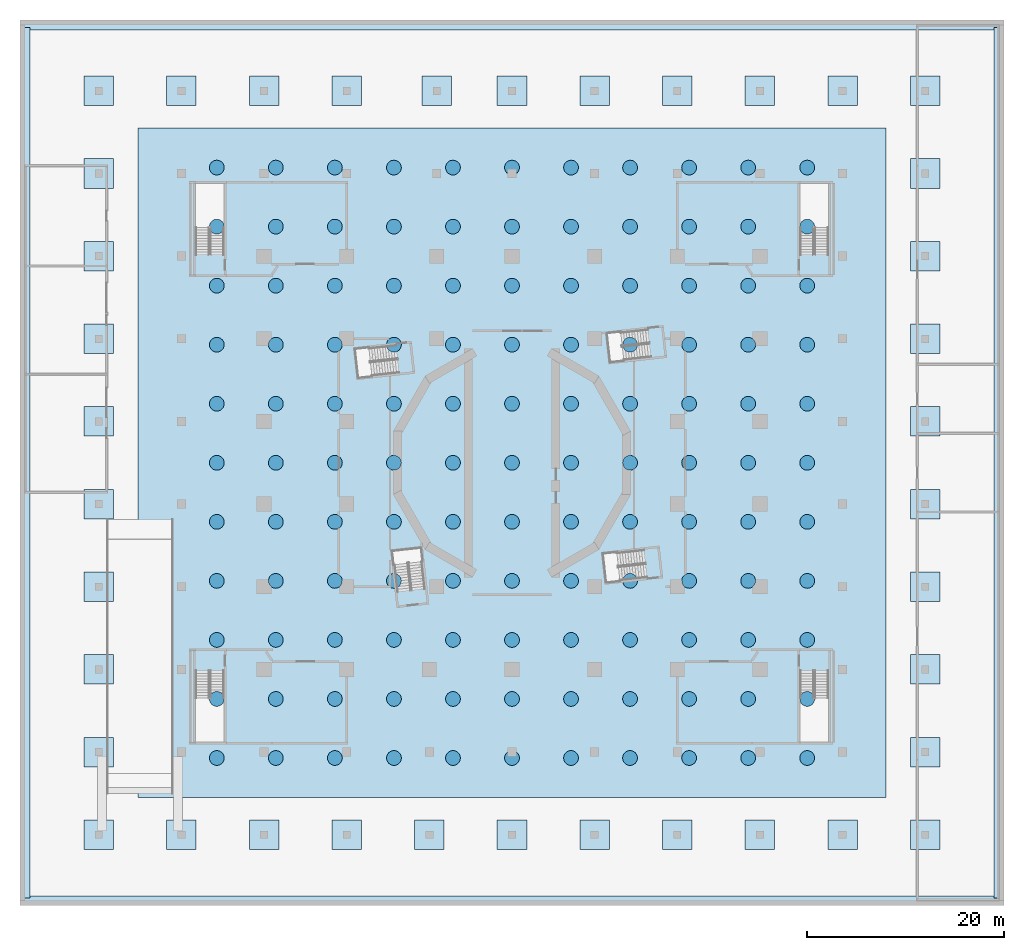
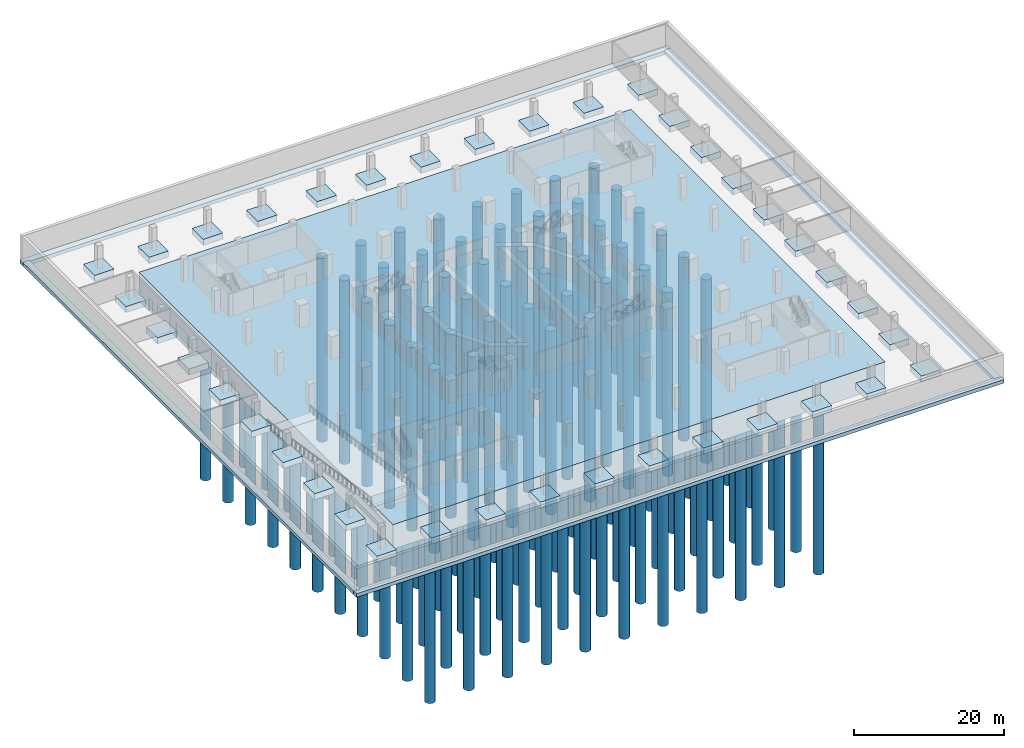
# One storey, part 1 of 20: 121 piles, 43 footings.
"""IFC4 building model written with IfcOpenShell, lengths in metres."""

from ifc_helpers import new_model, si_unit, direction, frame, origin, origin_2d, place, context, subcontext, project, spatial, polyline, circle, outline, extrude, material, material_profile, profile_set, type_object, element, save


model = new_model("IFC4")

# Units and contexts
model_context = context("Model", 3, precision=1e-05, world=origin(), true_north=direction((0.0, 1.0)))
body_context = subcontext(model_context, "Body", "Model", "MODEL_VIEW")
ifc_project = project(units=[si_unit("LENGTHUNIT", "METRE"), si_unit("AREAUNIT", "SQUARE_METRE"), si_unit("VOLUMEUNIT", "CUBIC_METRE"), si_unit("PLANEANGLEUNIT", "RADIAN"), si_unit("MASSUNIT", "GRAM", prefix="KILO")], contexts=[model_context])

# Site, building, storey
site_placement = place(None, origin())
site = spatial("IfcSite", under=ifc_project, at=site_placement, CompositionType="ELEMENT")
building_placement = place(site_placement, origin())
building = spatial("IfcBuilding", under=site, at=building_placement, Name="Cantera Rosa Tower", CompositionType="ELEMENT")
storey_placement = place(building_placement, frame((0.0, 0.0, -17.0)))
storey = spatial("IfcBuildingStorey", under=building, at=storey_placement, Name="B4", CompositionType="ELEMENT", Elevation=-17.0)

# Piles
ifc_material_1 = material(Name="Concrete C40/50", Category="concrete")
ifc_material_profile = material_profile(ifc_material_1, circle(Radius=0.75, at=origin_2d()), Name="Bored pile 1500")
ifc_profile_set = profile_set([ifc_material_profile], Name="Concrete C40/50")
pile_type = type_object("IfcPileType", Name="Bored pile 1500", PredefinedType="BORED", material=ifc_profile_set)
for number, where, z_axis, x_axis, name in (
    (1, (-30.0, -30.0, -3.925048828125), (0.0, 0.0, -1.0), (1.0, 0.0, 0.0), "Pile P-001"),
    (2, (-30.0, -24.0, -3.925048828125), (0.0, 0.0, -1.0), (1.0, 0.0, 0.0), "Pile P-002"),
    (3, (-30.0, -18.0, -3.925048828125), (0.0, 0.0, -1.0), (1.0, 0.0, 0.0), "Pile P-003"),
    (4, (-30.0, -12.0, -3.925048828125), (0.0, 0.0, -1.0), (1.0, 0.0, 0.0), "Pile P-004"),
    (5, (-30.0, -6.0, -3.925048828125), (0.0, 0.0, -1.0), (1.0, 0.0, 0.0), "Pile P-005"),
    (6, (-30.0, 0.0, -3.925048828125), (0.0, 0.0, -1.0), (1.0, 0.0, 0.0), "Pile P-006"),
    (7, (-30.0, 6.0, -3.925048828125), (0.0, 0.0, -1.0), (1.0, 0.0, 0.0), "Pile P-007"),
    (8, (-30.0, 12.0, -3.925048828125), (0.0, 0.0, -1.0), (1.0, 0.0, 0.0), "Pile P-008"),
    (9, (-30.0, 18.0, -3.925048828125), (0.0, 0.0, -1.0), (1.0, 0.0, 0.0), "Pile P-009"),
    (10, (-30.0, 24.0, -3.925048828125), (0.0, 0.0, -1.0), (1.0, 0.0, 0.0), "Pile P-010"),
    (11, (-30.0, 30.0, -3.925048828125), (0.0, 0.0, -1.0), (1.0, 0.0, 0.0), "Pile P-011"),
    (12, (-24.0, -30.0, -3.925048828125), (0.0, 0.0, -1.0), (1.0, 0.0, 0.0), "Pile P-012"),
    (13, (-24.0, -24.0, -3.925048828125), (0.0, 0.0, -1.0), (1.0, 0.0, 0.0), "Pile P-013"),
    (14, (-24.0, -18.0, -3.925048828125), (0.0, 0.0, -1.0), (1.0, 0.0, 0.0), "Pile P-014"),
    (15, (-24.0, -12.0, -3.925048828125), (0.0, 0.0, -1.0), (1.0, 0.0, 0.0), "Pile P-015"),
    (16, (-24.0, -6.0, -3.925048828125), (0.0, 0.0, -1.0), (1.0, 0.0, 0.0), "Pile P-016"),
    (17, (-24.0, 0.0, -3.925048828125), (0.0, 0.0, -1.0), (1.0, 0.0, 0.0), "Pile P-017"),
    (18, (-24.0, 6.0, -3.925048828125), (0.0, 0.0, -1.0), (1.0, 0.0, 0.0), "Pile P-018"),
    (19, (-24.0, 12.0, -3.925048828125), (0.0, 0.0, -1.0), (1.0, 0.0, 0.0), "Pile P-019"),
    (20, (-24.0, 18.0, -3.925048828125), (0.0, 0.0, -1.0), (1.0, 0.0, 0.0), "Pile P-020"),
    (21, (-24.0, 24.0, -3.925048828125), (0.0, 0.0, -1.0), (1.0, 0.0, 0.0), "Pile P-021"),
    (22, (-24.0, 30.0, -3.925048828125), (0.0, 0.0, -1.0), (1.0, 0.0, 0.0), "Pile P-022"),
    (23, (-18.0, -30.0, -3.925048828125), (0.0, 0.0, -1.0), (1.0, 0.0, 0.0), "Pile P-023"),
    (24, (-18.0, -24.0, -3.925048828125), (0.0, 0.0, -1.0), (1.0, 0.0, 0.0), "Pile P-024"),
    (25, (-18.0, -18.0, -3.925048828125), (0.0, 0.0, -1.0), (1.0, 0.0, 0.0), "Pile P-025"),
    (26, (-18.0, -12.0, -3.925048828125), (0.0, 0.0, -1.0), (1.0, 0.0, 0.0), "Pile P-026"),
    (27, (-18.0, -6.0, -3.925048828125), (0.0, 0.0, -1.0), (1.0, 0.0, 0.0), "Pile P-027"),
    (28, (-18.0, 0.0, -3.925048828125), (0.0, 0.0, -1.0), (1.0, 0.0, 0.0), "Pile P-028"),
    (29, (-18.0, 6.0, -3.925048828125), (0.0, 0.0, -1.0), (1.0, 0.0, 0.0), "Pile P-029"),
    (30, (-18.0, 12.0, -3.925048828125), (0.0, 0.0, -1.0), (1.0, 0.0, 0.0), "Pile P-030"),
    (31, (-18.0, 18.0, -3.925048828125), (0.0, 0.0, -1.0), (1.0, 0.0, 0.0), "Pile P-031"),
    (32, (-18.0, 24.0, -3.925048828125), (0.0, 0.0, -1.0), (1.0, 0.0, 0.0), "Pile P-032"),
    (33, (-18.0, 30.0, -3.925048828125), (0.0, 0.0, -1.0), (1.0, 0.0, 0.0), "Pile P-033"),
    (34, (-12.0, -30.0, -3.925048828125), (0.0, 0.0, -1.0), (1.0, 0.0, 0.0), "Pile P-034"),
    (35, (-12.0, -24.0, -3.925048828125), (0.0, 0.0, -1.0), (1.0, 0.0, 0.0), "Pile P-035"),
    (36, (-12.0, -18.0, -3.925048828125), (0.0, 0.0, -1.0), (1.0, 0.0, 0.0), "Pile P-036"),
    (37, (-12.0, -12.0, -3.925048828125), (0.0, 0.0, -1.0), (1.0, 0.0, 0.0), "Pile P-037"),
    (38, (-12.0, -6.0, -3.925048828125), (0.0, 0.0, -1.0), (1.0, 0.0, 0.0), "Pile P-038"),
    (39, (-12.0, 0.0, -3.925048828125), (0.0, 0.0, -1.0), (1.0, 0.0, 0.0), "Pile P-039"),
    (40, (-12.0, 6.0, -3.925048828125), (0.0, 0.0, -1.0), (1.0, 0.0, 0.0), "Pile P-040"),
    (41, (-12.0, 12.0, -3.925048828125), (0.0, 0.0, -1.0), (1.0, 0.0, 0.0), "Pile P-041"),
    (42, (-12.0, 18.0, -3.925048828125), (0.0, 0.0, -1.0), (1.0, 0.0, 0.0), "Pile P-042"),
    (43, (-12.0, 24.0, -3.925048828125), (0.0, 0.0, -1.0), (1.0, 0.0, 0.0), "Pile P-043"),
    (44, (-12.0, 30.0, -3.925048828125), (0.0, 0.0, -1.0), (1.0, 0.0, 0.0), "Pile P-044"),
    (45, (-6.0, -30.0, -3.925048828125), (0.0, 0.0, -1.0), (1.0, 0.0, 0.0), "Pile P-045"),
    (46, (-6.0, -24.0, -3.925048828125), (0.0, 0.0, -1.0), (1.0, 0.0, 0.0), "Pile P-046"),
    (47, (-6.0, -18.0, -3.925048828125), (0.0, 0.0, -1.0), (1.0, 0.0, 0.0), "Pile P-047"),
    (48, (-6.0, -12.0, -3.925048828125), (0.0, 0.0, -1.0), (1.0, 0.0, 0.0), "Pile P-048"),
    (49, (-6.0, -6.0, -3.925048828125), (0.0, 0.0, -1.0), (1.0, 0.0, 0.0), "Pile P-049"),
    (50, (-6.0, 0.0, -3.925048828125), (0.0, 0.0, -1.0), (1.0, 0.0, 0.0), "Pile P-050"),
    (51, (-6.0, 6.0, -3.925048828125), (0.0, 0.0, -1.0), (1.0, 0.0, 0.0), "Pile P-051"),
    (52, (-6.0, 12.0, -3.925048828125), (0.0, 0.0, -1.0), (1.0, 0.0, 0.0), "Pile P-052"),
    (53, (-6.0, 18.0, -3.925048828125), (0.0, 0.0, -1.0), (1.0, 0.0, 0.0), "Pile P-053"),
    (54, (-6.0, 24.0, -3.925048828125), (0.0, 0.0, -1.0), (1.0, 0.0, 0.0), "Pile P-054"),
    (55, (-6.0, 30.0, -3.925048828125), (0.0, 0.0, -1.0), (1.0, 0.0, 0.0), "Pile P-055"),
    (56, (0.0, -30.0, -3.925048828125), (0.0, 0.0, -1.0), (1.0, 0.0, 0.0), "Pile P-056"),
    (57, (0.0, -24.0, -3.925048828125), (0.0, 0.0, -1.0), (1.0, 0.0, 0.0), "Pile P-057"),
    (58, (0.0, -18.0, -3.925048828125), (0.0, 0.0, -1.0), (1.0, 0.0, 0.0), "Pile P-058"),
    (59, (0.0, -12.0, -3.925048828125), (0.0, 0.0, -1.0), (1.0, 0.0, 0.0), "Pile P-059"),
    (60, (0.0, -6.0, -3.925048828125), (0.0, 0.0, -1.0), (1.0, 0.0, 0.0), "Pile P-060"),
    (61, (0.0, 0.0, -3.925048828125), (0.0, 0.0, -1.0), (1.0, 0.0, 0.0), "Pile P-061"),
    (62, (0.0, 6.0, -3.925048828125), (0.0, 0.0, -1.0), (1.0, 0.0, 0.0), "Pile P-062"),
    (63, (0.0, 12.0, -3.925048828125), (0.0, 0.0, -1.0), (1.0, 0.0, 0.0), "Pile P-063"),
    (64, (0.0, 18.0, -3.925048828125), (0.0, 0.0, -1.0), (1.0, 0.0, 0.0), "Pile P-064"),
    (65, (0.0, 24.0, -3.925048828125), (0.0, 0.0, -1.0), (1.0, 0.0, 0.0), "Pile P-065"),
    (66, (0.0, 30.0, -3.925048828125), (0.0, 0.0, -1.0), (1.0, 0.0, 0.0), "Pile P-066"),
    (67, (6.0, -30.0, -3.925048828125), (0.0, 0.0, -1.0), (1.0, 0.0, 0.0), "Pile P-067"),
    (68, (6.0, -24.0, -3.925048828125), (0.0, 0.0, -1.0), (1.0, 0.0, 0.0), "Pile P-068"),
    (69, (6.0, -18.0, -3.925048828125), (0.0, 0.0, -1.0), (1.0, 0.0, 0.0), "Pile P-069"),
    (70, (6.0, -12.0, -3.925048828125), (0.0, 0.0, -1.0), (1.0, 0.0, 0.0), "Pile P-070"),
    (71, (6.0, -6.0, -3.925048828125), (0.0, 0.0, -1.0), (1.0, 0.0, 0.0), "Pile P-071"),
    (72, (6.0, 0.0, -3.925048828125), (0.0, 0.0, -1.0), (1.0, 0.0, 0.0), "Pile P-072"),
    (73, (6.0, 6.0, -3.925048828125), (0.0, 0.0, -1.0), (1.0, 0.0, 0.0), "Pile P-073"),
    (74, (6.0, 12.0, -3.925048828125), (0.0, 0.0, -1.0), (1.0, 0.0, 0.0), "Pile P-074"),
    (75, (6.0, 18.0, -3.925048828125), (0.0, 0.0, -1.0), (1.0, 0.0, 0.0), "Pile P-075"),
    (76, (6.0, 24.0, -3.925048828125), (0.0, 0.0, -1.0), (1.0, 0.0, 0.0), "Pile P-076"),
    (77, (6.0, 30.0, -3.925048828125), (0.0, 0.0, -1.0), (1.0, 0.0, 0.0), "Pile P-077"),
    (78, (12.0, -30.0, -3.925048828125), (0.0, 0.0, -1.0), (1.0, 0.0, 0.0), "Pile P-078"),
    (79, (12.0, -24.0, -3.925048828125), (0.0, 0.0, -1.0), (1.0, 0.0, 0.0), "Pile P-079"),
    (80, (12.0, -18.0, -3.925048828125), (0.0, 0.0, -1.0), (1.0, 0.0, 0.0), "Pile P-080"),
    (81, (12.0, -12.0, -3.925048828125), (0.0, 0.0, -1.0), (1.0, 0.0, 0.0), "Pile P-081"),
    (82, (12.0, -6.0, -3.925048828125), (0.0, 0.0, -1.0), (1.0, 0.0, 0.0), "Pile P-082"),
    (83, (12.0, 0.0, -3.925048828125), (0.0, 0.0, -1.0), (1.0, 0.0, 0.0), "Pile P-083"),
    (84, (12.0, 6.0, -3.925048828125), (0.0, 0.0, -1.0), (1.0, 0.0, 0.0), "Pile P-084"),
    (85, (12.0, 12.0, -3.925048828125), (0.0, 0.0, -1.0), (1.0, 0.0, 0.0), "Pile P-085"),
    (86, (12.0, 18.0, -3.925048828125), (0.0, 0.0, -1.0), (1.0, 0.0, 0.0), "Pile P-086"),
    (87, (12.0, 24.0, -3.925048828125), (0.0, 0.0, -1.0), (1.0, 0.0, 0.0), "Pile P-087"),
    (88, (12.0, 30.0, -3.925048828125), (0.0, 0.0, -1.0), (1.0, 0.0, 0.0), "Pile P-088"),
    (89, (18.0, -30.0, -3.925048828125), (0.0, 0.0, -1.0), (1.0, 0.0, 0.0), "Pile P-089"),
    (90, (18.0, -24.0, -3.925048828125), (0.0, 0.0, -1.0), (1.0, 0.0, 0.0), "Pile P-090"),
    (91, (18.0, -18.0, -3.925048828125), (0.0, 0.0, -1.0), (1.0, 0.0, 0.0), "Pile P-091"),
    (92, (18.0, -12.0, -3.925048828125), (0.0, 0.0, -1.0), (1.0, 0.0, 0.0), "Pile P-092"),
    (93, (18.0, -6.0, -3.925048828125), (0.0, 0.0, -1.0), (1.0, 0.0, 0.0), "Pile P-093"),
    (94, (18.0, 0.0, -3.925048828125), (0.0, 0.0, -1.0), (1.0, 0.0, 0.0), "Pile P-094"),
    (95, (18.0, 6.0, -3.925048828125), (0.0, 0.0, -1.0), (1.0, 0.0, 0.0), "Pile P-095"),
    (96, (18.0, 12.0, -3.925048828125), (0.0, 0.0, -1.0), (1.0, 0.0, 0.0), "Pile P-096"),
    (97, (18.0, 18.0, -3.925048828125), (0.0, 0.0, -1.0), (1.0, 0.0, 0.0), "Pile P-097"),
    (98, (18.0, 24.0, -3.925048828125), (0.0, 0.0, -1.0), (1.0, 0.0, 0.0), "Pile P-098"),
    (99, (18.0, 30.0, -3.925048828125), (0.0, 0.0, -1.0), (1.0, 0.0, 0.0), "Pile P-099"),
    (100, (24.0, -30.0, -3.925048828125), (0.0, 0.0, -1.0), (1.0, 0.0, 0.0), "Pile P-100"),
    (101, (24.0, -24.0, -3.925048828125), (0.0, 0.0, -1.0), (1.0, 0.0, 0.0), "Pile P-101"),
    (102, (24.0, -18.0, -3.925048828125), (0.0, 0.0, -1.0), (1.0, 0.0, 0.0), "Pile P-102"),
    (103, (24.0, -12.0, -3.925048828125), (0.0, 0.0, -1.0), (1.0, 0.0, 0.0), "Pile P-103"),
    (104, (24.0, -6.0, -3.925048828125), (0.0, 0.0, -1.0), (1.0, 0.0, 0.0), "Pile P-104"),
    (105, (24.0, 0.0, -3.925048828125), (0.0, 0.0, -1.0), (1.0, 0.0, 0.0), "Pile P-105"),
    (106, (24.0, 6.0, -3.925048828125), (0.0, 0.0, -1.0), (1.0, 0.0, 0.0), "Pile P-106"),
    (107, (24.0, 12.0, -3.925048828125), (0.0, 0.0, -1.0), (1.0, 0.0, 0.0), "Pile P-107"),
    (108, (24.0, 18.0, -3.925048828125), (0.0, 0.0, -1.0), (1.0, 0.0, 0.0), "Pile P-108"),
    (109, (24.0, 24.0, -3.925048828125), (0.0, 0.0, -1.0), (1.0, 0.0, 0.0), "Pile P-109"),
    (110, (24.0, 30.0, -3.925048828125), (0.0, 0.0, -1.0), (1.0, 0.0, 0.0), "Pile P-110"),
    (111, (30.0, -30.0, -3.925048828125), (0.0, 0.0, -1.0), (1.0, 0.0, 0.0), "Pile P-111"),
    (112, (30.0, -24.0, -3.925048828125), (0.0, 0.0, -1.0), (1.0, 0.0, 0.0), "Pile P-112"),
    (113, (30.0, -18.0, -3.925048828125), (0.0, 0.0, -1.0), (1.0, 0.0, 0.0), "Pile P-113"),
    (114, (30.0, -12.0, -3.925048828125), (0.0, 0.0, -1.0), (1.0, 0.0, 0.0), "Pile P-114"),
    (115, (30.0, -6.0, -3.925048828125), (0.0, 0.0, -1.0), (1.0, 0.0, 0.0), "Pile P-115"),
    (116, (30.0, 0.0, -3.925048828125), (0.0, 0.0, -1.0), (1.0, 0.0, 0.0), "Pile P-116"),
    (117, (30.0, 6.0, -3.925048828125), (0.0, 0.0, -1.0), (1.0, 0.0, 0.0), "Pile P-117"),
    (118, (30.0, 12.0, -3.925048828125), (0.0, 0.0, -1.0), (1.0, 0.0, 0.0), "Pile P-118"),
    (119, (30.0, 18.0, -3.925048828125), (0.0, 0.0, -1.0), (1.0, 0.0, 0.0), "Pile P-119"),
    (120, (30.0, 24.0, -3.925048828125), (0.0, 0.0, -1.0), (1.0, 0.0, 0.0), "Pile P-120"),
    (121, (30.0, 30.0, -3.925048828125), (0.0, 0.0, -1.0), (1.0, 0.0, 0.0), "Pile P-121"),
):
    element("IfcPile", number, at=place(storey_placement, frame(where, z_axis=z_axis, x_axis=x_axis)), inside=storey, type_object=pile_type, Name=name, PredefinedType="BORED", context=body_context, shape_type="SweptSolid", body=[
        extrude(circle(Radius=0.75, at=origin_2d()), origin(), (0.0, 0.0, 1.0), 30.0),
    ])

# Footings
ifc_material_2 = material(Name="Concrete C40/50", Category="concrete")
footing_type_1 = type_object("IfcFootingType", Name="Pad footing 3000x3000x1000", PredefinedType="PAD_FOOTING", material=ifc_material_2)
footing_1_placement = place(storey_placement, frame((0.0, 0.0, -1.0)))
element("IfcFooting", 122, at=footing_1_placement, inside=storey, type_object=footing_type_1, Name="Pad footing C-B-0S5", PredefinedType="PAD_FOOTING", context=body_context, shape_type="SweptSolid", body=[
    extrude(outline(polyline([(-40.5, -39.300048828125), (-40.5, -36.300048828125), (-43.5, -36.300048828125), (-43.5, -39.300048828125), (-40.5, -39.300048828125)])), origin(), (0.0, 0.0, 1.0), 1.0),
])
footing_2_placement = place(storey_placement, frame((0.0, 0.0, -1.0)))
element("IfcFooting", 123, at=footing_2_placement, inside=storey, type_object=footing_type_1, Name="Pad footing C-B-0S4", PredefinedType="PAD_FOOTING", context=body_context, shape_type="SweptSolid", body=[
    extrude(outline(polyline([(-40.5, -30.89990234375), (-40.5, -27.89990234375), (-43.5, -27.89990234375), (-43.5, -30.89990234375), (-40.5, -30.89990234375)])), origin(), (0.0, 0.0, 1.0), 1.0),
])
footing_3_placement = place(storey_placement, frame((0.0, 0.0, -1.0)))
element("IfcFooting", 124, at=footing_3_placement, inside=storey, type_object=footing_type_1, Name="Pad footing C-B-0S3", PredefinedType="PAD_FOOTING", context=body_context, shape_type="SweptSolid", body=[
    extrude(outline(polyline([(-40.5, -22.5), (-40.5, -19.5), (-43.5, -19.5), (-43.5, -22.5), (-40.5, -22.5)])), origin(), (0.0, 0.0, 1.0), 1.0),
])
footing_4_placement = place(storey_placement, frame((0.0, 0.0, -1.0)))
element("IfcFooting", 125, at=footing_4_placement, inside=storey, type_object=footing_type_1, Name="Pad footing C-B-0S2", PredefinedType="PAD_FOOTING", context=body_context, shape_type="SweptSolid", body=[
    extrude(outline(polyline([(-40.5, -14.10009765625), (-40.5, -11.10009765625), (-43.5, -11.10009765625), (-43.5, -14.10009765625), (-40.5, -14.10009765625)])), origin(), (0.0, 0.0, 1.0), 1.0),
])
footing_5_placement = place(storey_placement, frame((0.0, 0.0, -1.0)))
element("IfcFooting", 126, at=footing_5_placement, inside=storey, type_object=footing_type_1, Name="Pad footing C-B-0S1", PredefinedType="PAD_FOOTING", context=body_context, shape_type="SweptSolid", body=[
    extrude(outline(polyline([(-40.5, -5.699951171875), (-40.5, -2.699951171875), (-43.5, -2.699951171875), (-43.5, -5.699951171875), (-40.5, -5.699951171875)])), origin(), (0.0, 0.0, 1.0), 1.0),
])
footing_6_placement = place(storey_placement, frame((0.0, 0.0, -1.0)))
element("IfcFooting", 127, at=footing_6_placement, inside=storey, type_object=footing_type_1, Name="Pad footing C-B-0N1", PredefinedType="PAD_FOOTING", context=body_context, shape_type="SweptSolid", body=[
    extrude(outline(polyline([(-40.5, 2.699951171875), (-40.5, 5.699951171875), (-43.5, 5.699951171875), (-43.5, 2.699951171875), (-40.5, 2.699951171875)])), origin(), (0.0, 0.0, 1.0), 1.0),
])
footing_7_placement = place(storey_placement, frame((0.0, 0.0, -1.0)))
element("IfcFooting", 128, at=footing_7_placement, inside=storey, type_object=footing_type_1, Name="Pad footing C-B-0N2", PredefinedType="PAD_FOOTING", context=body_context, shape_type="SweptSolid", body=[
    extrude(outline(polyline([(-40.5, 11.10009765625), (-40.5, 14.10009765625), (-43.5, 14.10009765625), (-43.5, 11.10009765625), (-40.5, 11.10009765625)])), origin(), (0.0, 0.0, 1.0), 1.0),
])
footing_8_placement = place(storey_placement, frame((0.0, 0.0, -1.0)))
element("IfcFooting", 129, at=footing_8_placement, inside=storey, type_object=footing_type_1, Name="Pad footing C-B-0N3", PredefinedType="PAD_FOOTING", context=body_context, shape_type="SweptSolid", body=[
    extrude(outline(polyline([(-40.5, 19.5), (-40.5, 22.5), (-43.5, 22.5), (-43.5, 19.5), (-40.5, 19.5)])), origin(), (0.0, 0.0, 1.0), 1.0),
])
footing_9_placement = place(storey_placement, frame((0.0, 0.0, -1.0)))
element("IfcFooting", 130, at=footing_9_placement, inside=storey, type_object=footing_type_1, Name="Pad footing C-B-0N4", PredefinedType="PAD_FOOTING", context=body_context, shape_type="SweptSolid", body=[
    extrude(outline(polyline([(-40.5, 27.89990234375), (-40.5, 30.89990234375), (-43.5, 30.89990234375), (-43.5, 27.89990234375), (-40.5, 27.89990234375)])), origin(), (0.0, 0.0, 1.0), 1.0),
])
footing_10_placement = place(storey_placement, frame((0.0, 0.0, -1.0)))
element("IfcFooting", 131, at=footing_10_placement, inside=storey, type_object=footing_type_1, Name="Pad footing C-B-0N5", PredefinedType="PAD_FOOTING", context=body_context, shape_type="SweptSolid", body=[
    extrude(outline(polyline([(-40.5, 36.300048828125), (-40.5, 39.300048828125), (-43.5, 39.300048828125), (-43.5, 36.300048828125), (-40.5, 36.300048828125)])), origin(), (0.0, 0.0, 1.0), 1.0),
])
footing_11_placement = place(storey_placement, frame((0.0, 0.0, -1.0)))
element("IfcFooting", 132, at=footing_11_placement, inside=storey, type_object=footing_type_1, Name="Pad footing C-B-1S5", PredefinedType="PAD_FOOTING", context=body_context, shape_type="SweptSolid", body=[
    extrude(outline(polyline([(-32.10009765625, -39.300048828125), (-32.10009765625, -36.300048828125), (-35.10009765625, -36.300048828125), (-35.10009765625, -39.300048828125), (-32.10009765625, -39.300048828125)])), origin(), (0.0, 0.0, 1.0), 1.0),
])
footing_12_placement = place(storey_placement, frame((0.0, 0.0, -1.0)))
element("IfcFooting", 133, at=footing_12_placement, inside=storey, type_object=footing_type_1, Name="Pad footing C-B-1N5", PredefinedType="PAD_FOOTING", context=body_context, shape_type="SweptSolid", body=[
    extrude(outline(polyline([(-32.10009765625, 36.300048828125), (-32.10009765625, 39.300048828125), (-35.10009765625, 39.300048828125), (-35.10009765625, 36.300048828125), (-32.10009765625, 36.300048828125)])), origin(), (0.0, 0.0, 1.0), 1.0),
])
footing_13_placement = place(storey_placement, frame((0.0, 0.0, -1.0)))
element("IfcFooting", 134, at=footing_13_placement, inside=storey, type_object=footing_type_1, Name="Pad footing C-B-2S5", PredefinedType="PAD_FOOTING", context=body_context, shape_type="SweptSolid", body=[
    extrude(outline(polyline([(-23.699951171875, -39.300048828125), (-23.699951171875, -36.300048828125), (-26.699951171875, -36.300048828125), (-26.699951171875, -39.300048828125), (-23.699951171875, -39.300048828125)])), origin(), (0.0, 0.0, 1.0), 1.0),
])
footing_14_placement = place(storey_placement, frame((0.0, 0.0, -1.0)))
element("IfcFooting", 135, at=footing_14_placement, inside=storey, type_object=footing_type_1, Name="Pad footing C-B-2N5", PredefinedType="PAD_FOOTING", context=body_context, shape_type="SweptSolid", body=[
    extrude(outline(polyline([(-23.699951171875, 36.300048828125), (-23.699951171875, 39.300048828125), (-26.699951171875, 39.300048828125), (-26.699951171875, 36.300048828125), (-23.699951171875, 36.300048828125)])), origin(), (0.0, 0.0, 1.0), 1.0),
])
footing_15_placement = place(storey_placement, frame((0.0, 0.0, -1.0)))
element("IfcFooting", 136, at=footing_15_placement, inside=storey, type_object=footing_type_1, Name="Pad footing C-B-3S5", PredefinedType="PAD_FOOTING", context=body_context, shape_type="SweptSolid", body=[
    extrude(outline(polyline([(-15.300048828125, -39.300048828125), (-15.300048828125, -36.300048828125), (-18.300048828125, -36.300048828125), (-18.300048828125, -39.300048828125), (-15.300048828125, -39.300048828125)])), origin(), (0.0, 0.0, 1.0), 1.0),
])
footing_16_placement = place(storey_placement, frame((0.0, 0.0, -1.0)))
element("IfcFooting", 137, at=footing_16_placement, inside=storey, type_object=footing_type_1, Name="Pad footing C-B-3N5", PredefinedType="PAD_FOOTING", context=body_context, shape_type="SweptSolid", body=[
    extrude(outline(polyline([(-15.300048828125, 36.300048828125), (-15.300048828125, 39.300048828125), (-18.300048828125, 39.300048828125), (-18.300048828125, 36.300048828125), (-15.300048828125, 36.300048828125)])), origin(), (0.0, 0.0, 1.0), 1.0),
])
footing_17_placement = place(storey_placement, frame((0.0, 0.0, -1.0)))
element("IfcFooting", 138, at=footing_17_placement, inside=storey, type_object=footing_type_1, Name="Pad footing C-B-4S5", PredefinedType="PAD_FOOTING", context=body_context, shape_type="SweptSolid", body=[
    extrude(outline(polyline([(-6.89990234375, -39.300048828125), (-6.89990234375, -36.300048828125), (-9.89990234375, -36.300048828125), (-9.89990234375, -39.300048828125), (-6.89990234375, -39.300048828125)])), origin(), (0.0, 0.0, 1.0), 1.0),
])
footing_18_placement = place(storey_placement, frame((0.0, 0.0, -1.0)))
element("IfcFooting", 139, at=footing_18_placement, inside=storey, type_object=footing_type_1, Name="Pad footing C-B-4N5", PredefinedType="PAD_FOOTING", context=body_context, shape_type="SweptSolid", body=[
    extrude(outline(polyline([(-6.14990234375, 36.300048828125), (-6.14990234375, 39.300048828125), (-9.14990234375, 39.300048828125), (-9.14990234375, 36.300048828125), (-6.14990234375, 36.300048828125)])), origin(), (0.0, 0.0, 1.0), 1.0),
])
footing_19_placement = place(storey_placement, frame((0.0, 0.0, -1.0)))
element("IfcFooting", 140, at=footing_19_placement, inside=storey, type_object=footing_type_1, Name="Pad footing C-B-5S5", PredefinedType="PAD_FOOTING", context=body_context, shape_type="SweptSolid", body=[
    extrude(outline(polyline([(1.5, -39.300048828125), (1.5, -36.300048828125), (-1.5, -36.300048828125), (-1.5, -39.300048828125), (1.5, -39.300048828125)])), origin(), (0.0, 0.0, 1.0), 1.0),
])
footing_20_placement = place(storey_placement, frame((0.0, 0.0, -1.0)))
element("IfcFooting", 141, at=footing_20_placement, inside=storey, type_object=footing_type_1, Name="Pad footing C-B-5N5", PredefinedType="PAD_FOOTING", context=body_context, shape_type="SweptSolid", body=[
    extrude(outline(polyline([(1.5, 36.300048828125), (1.5, 39.300048828125), (-1.5, 39.300048828125), (-1.5, 36.300048828125), (1.5, 36.300048828125)])), origin(), (0.0, 0.0, 1.0), 1.0),
])
footing_21_placement = place(storey_placement, frame((0.0, 0.0, -1.0)))
element("IfcFooting", 142, at=footing_21_placement, inside=storey, type_object=footing_type_1, Name="Pad footing C-B-6S5", PredefinedType="PAD_FOOTING", context=body_context, shape_type="SweptSolid", body=[
    extrude(outline(polyline([(9.89990234375, -39.300048828125), (9.89990234375, -36.300048828125), (6.89990234375, -36.300048828125), (6.89990234375, -39.300048828125), (9.89990234375, -39.300048828125)])), origin(), (0.0, 0.0, 1.0), 1.0),
])
footing_22_placement = place(storey_placement, frame((0.0, 0.0, -1.0)))
element("IfcFooting", 143, at=footing_22_placement, inside=storey, type_object=footing_type_1, Name="Pad footing C-B-6N5", PredefinedType="PAD_FOOTING", context=body_context, shape_type="SweptSolid", body=[
    extrude(outline(polyline([(9.89990234375, 36.300048828125), (9.89990234375, 39.300048828125), (6.89990234375, 39.300048828125), (6.89990234375, 36.300048828125), (9.89990234375, 36.300048828125)])), origin(), (0.0, 0.0, 1.0), 1.0),
])
footing_23_placement = place(storey_placement, frame((0.0, 0.0, -1.0)))
element("IfcFooting", 144, at=footing_23_placement, inside=storey, type_object=footing_type_1, Name="Pad footing C-B-7S5", PredefinedType="PAD_FOOTING", context=body_context, shape_type="SweptSolid", body=[
    extrude(outline(polyline([(18.300048828125, -39.300048828125), (18.300048828125, -36.300048828125), (15.300048828125, -36.300048828125), (15.300048828125, -39.300048828125), (18.300048828125, -39.300048828125)])), origin(), (0.0, 0.0, 1.0), 1.0),
])
footing_24_placement = place(storey_placement, frame((0.0, 0.0, -1.0)))
element("IfcFooting", 145, at=footing_24_placement, inside=storey, type_object=footing_type_1, Name="Pad footing C-B-7N5", PredefinedType="PAD_FOOTING", context=body_context, shape_type="SweptSolid", body=[
    extrude(outline(polyline([(18.300048828125, 36.300048828125), (18.300048828125, 39.300048828125), (15.300048828125, 39.300048828125), (15.300048828125, 36.300048828125), (18.300048828125, 36.300048828125)])), origin(), (0.0, 0.0, 1.0), 1.0),
])
footing_25_placement = place(storey_placement, frame((0.0, 0.0, -1.0)))
element("IfcFooting", 146, at=footing_25_placement, inside=storey, type_object=footing_type_1, Name="Pad footing C-B-8S5", PredefinedType="PAD_FOOTING", context=body_context, shape_type="SweptSolid", body=[
    extrude(outline(polyline([(26.699951171875, -39.300048828125), (26.699951171875, -36.300048828125), (23.699951171875, -36.300048828125), (23.699951171875, -39.300048828125), (26.699951171875, -39.300048828125)])), origin(), (0.0, 0.0, 1.0), 1.0),
])
footing_26_placement = place(storey_placement, frame((0.0, 0.0, -1.0)))
element("IfcFooting", 147, at=footing_26_placement, inside=storey, type_object=footing_type_1, Name="Pad footing C-B-8N5", PredefinedType="PAD_FOOTING", context=body_context, shape_type="SweptSolid", body=[
    extrude(outline(polyline([(26.699951171875, 36.300048828125), (26.699951171875, 39.300048828125), (23.699951171875, 39.300048828125), (23.699951171875, 36.300048828125), (26.699951171875, 36.300048828125)])), origin(), (0.0, 0.0, 1.0), 1.0),
])
footing_27_placement = place(storey_placement, frame((0.0, 0.0, -1.0)))
element("IfcFooting", 148, at=footing_27_placement, inside=storey, type_object=footing_type_1, Name="Pad footing C-B-9S5", PredefinedType="PAD_FOOTING", context=body_context, shape_type="SweptSolid", body=[
    extrude(outline(polyline([(35.10009765625, -39.300048828125), (35.10009765625, -36.300048828125), (32.10009765625, -36.300048828125), (32.10009765625, -39.300048828125), (35.10009765625, -39.300048828125)])), origin(), (0.0, 0.0, 1.0), 1.0),
])
footing_28_placement = place(storey_placement, frame((0.0, 0.0, -1.0)))
element("IfcFooting", 149, at=footing_28_placement, inside=storey, type_object=footing_type_1, Name="Pad footing C-B-9N5", PredefinedType="PAD_FOOTING", context=body_context, shape_type="SweptSolid", body=[
    extrude(outline(polyline([(35.10009765625, 36.300048828125), (35.10009765625, 39.300048828125), (32.10009765625, 39.300048828125), (32.10009765625, 36.300048828125), (35.10009765625, 36.300048828125)])), origin(), (0.0, 0.0, 1.0), 1.0),
])
footing_29_placement = place(storey_placement, frame((0.0, 0.0, -1.0)))
element("IfcFooting", 150, at=footing_29_placement, inside=storey, type_object=footing_type_1, Name="Pad footing C-B-10S5", PredefinedType="PAD_FOOTING", context=body_context, shape_type="SweptSolid", body=[
    extrude(outline(polyline([(43.5, -39.300048828125), (43.5, -36.300048828125), (40.5, -36.300048828125), (40.5, -39.300048828125), (43.5, -39.300048828125)])), origin(), (0.0, 0.0, 1.0), 1.0),
])
footing_30_placement = place(storey_placement, frame((0.0, 0.0, -1.0)))
element("IfcFooting", 151, at=footing_30_placement, inside=storey, type_object=footing_type_1, Name="Pad footing C-B-10S4", PredefinedType="PAD_FOOTING", context=body_context, shape_type="SweptSolid", body=[
    extrude(outline(polyline([(43.5, -30.89990234375), (43.5, -27.89990234375), (40.5, -27.89990234375), (40.5, -30.89990234375), (43.5, -30.89990234375)])), origin(), (0.0, 0.0, 1.0), 1.0),
])
footing_31_placement = place(storey_placement, frame((0.0, 0.0, -1.0)))
element("IfcFooting", 152, at=footing_31_placement, inside=storey, type_object=footing_type_1, Name="Pad footing C-B-10S3", PredefinedType="PAD_FOOTING", context=body_context, shape_type="SweptSolid", body=[
    extrude(outline(polyline([(43.5, -22.5), (43.5, -19.5), (40.5, -19.5), (40.5, -22.5), (43.5, -22.5)])), origin(), (0.0, 0.0, 1.0), 1.0),
])
footing_32_placement = place(storey_placement, frame((0.0, 0.0, -1.0)))
element("IfcFooting", 153, at=footing_32_placement, inside=storey, type_object=footing_type_1, Name="Pad footing C-B-10S2", PredefinedType="PAD_FOOTING", context=body_context, shape_type="SweptSolid", body=[
    extrude(outline(polyline([(43.5, -14.10009765625), (43.5, -11.10009765625), (40.5, -11.10009765625), (40.5, -14.10009765625), (43.5, -14.10009765625)])), origin(), (0.0, 0.0, 1.0), 1.0),
])
footing_33_placement = place(storey_placement, frame((0.0, 0.0, -1.0)))
element("IfcFooting", 154, at=footing_33_placement, inside=storey, type_object=footing_type_1, Name="Pad footing C-B-10S1", PredefinedType="PAD_FOOTING", context=body_context, shape_type="SweptSolid", body=[
    extrude(outline(polyline([(43.5, -5.699951171875), (43.5, -2.699951171875), (40.5, -2.699951171875), (40.5, -5.699951171875), (43.5, -5.699951171875)])), origin(), (0.0, 0.0, 1.0), 1.0),
])
footing_34_placement = place(storey_placement, frame((0.0, 0.0, -1.0)))
element("IfcFooting", 155, at=footing_34_placement, inside=storey, type_object=footing_type_1, Name="Pad footing C-B-10N1", PredefinedType="PAD_FOOTING", context=body_context, shape_type="SweptSolid", body=[
    extrude(outline(polyline([(43.5, 2.699951171875), (43.5, 5.699951171875), (40.5, 5.699951171875), (40.5, 2.699951171875), (43.5, 2.699951171875)])), origin(), (0.0, 0.0, 1.0), 1.0),
])
footing_35_placement = place(storey_placement, frame((0.0, 0.0, -1.0)))
element("IfcFooting", 156, at=footing_35_placement, inside=storey, type_object=footing_type_1, Name="Pad footing C-B-10N2", PredefinedType="PAD_FOOTING", context=body_context, shape_type="SweptSolid", body=[
    extrude(outline(polyline([(43.5, 11.10009765625), (43.5, 14.10009765625), (40.5, 14.10009765625), (40.5, 11.10009765625), (43.5, 11.10009765625)])), origin(), (0.0, 0.0, 1.0), 1.0),
])
footing_36_placement = place(storey_placement, frame((0.0, 0.0, -1.0)))
element("IfcFooting", 157, at=footing_36_placement, inside=storey, type_object=footing_type_1, Name="Pad footing C-B-10N3", PredefinedType="PAD_FOOTING", context=body_context, shape_type="SweptSolid", body=[
    extrude(outline(polyline([(43.5, 19.5), (43.5, 22.5), (40.5, 22.5), (40.5, 19.5), (43.5, 19.5)])), origin(), (0.0, 0.0, 1.0), 1.0),
])
footing_37_placement = place(storey_placement, frame((0.0, 0.0, -1.0)))
element("IfcFooting", 158, at=footing_37_placement, inside=storey, type_object=footing_type_1, Name="Pad footing C-B-10N4", PredefinedType="PAD_FOOTING", context=body_context, shape_type="SweptSolid", body=[
    extrude(outline(polyline([(43.5, 27.89990234375), (43.5, 30.89990234375), (40.5, 30.89990234375), (40.5, 27.89990234375), (43.5, 27.89990234375)])), origin(), (0.0, 0.0, 1.0), 1.0),
])
footing_38_placement = place(storey_placement, frame((0.0, 0.0, -1.0)))
element("IfcFooting", 159, at=footing_38_placement, inside=storey, type_object=footing_type_1, Name="Pad footing C-B-10N5", PredefinedType="PAD_FOOTING", context=body_context, shape_type="SweptSolid", body=[
    extrude(outline(polyline([(43.5, 36.300048828125), (43.5, 39.300048828125), (40.5, 39.300048828125), (40.5, 36.300048828125), (43.5, 36.300048828125)])), origin(), (0.0, 0.0, 1.0), 1.0),
])
ifc_material_3 = material(Name="Concrete C40/50", Category="concrete")
footing_type_2 = type_object("IfcFootingType", Name="Piled raft 4000", PredefinedType="PILE_CAP", material=ifc_material_3)
footing_39_placement = place(storey_placement, frame((0.0, 0.0, -4.0)))
element("IfcFooting", 160, at=footing_39_placement, inside=storey, type_object=footing_type_2, Name="Piled raft FR1", PredefinedType="PILE_CAP", context=body_context, shape_type="SweptSolid", body=[
    extrude(outline(polyline([(38.0, -34.0), (38.0, 34.0), (-38.0, 34.0), (-38.0, -34.0), (38.0, -34.0)])), origin(), (0.0, 0.0, 1.0), 4.0),
])
ifc_material_4 = material(Name="Concrete C40/50", Category="concrete")
footing_type_3 = type_object("IfcFootingType", Name="Strip footing 1500x600", PredefinedType="STRIP_FOOTING", material=ifc_material_4)
footing_40_placement = place(storey_placement, frame((0.0, 0.0, -1.0)))
element("IfcFooting", 161, at=footing_40_placement, inside=storey, type_object=footing_type_3, Name="Strip footing N", PredefinedType="STRIP_FOOTING", context=body_context, shape_type="SweptSolid", body=[
    extrude(outline(polyline([(50.0, 44.0), (50.0, 45.0), (-50.0, 45.0), (-50.0, 44.0), (50.0, 44.0)])), origin(), (0.0, 0.0, 1.0), 0.60009765625),
])
footing_41_placement = place(storey_placement, frame((0.0, 0.0, -1.0)))
element("IfcFooting", 162, at=footing_41_placement, inside=storey, type_object=footing_type_3, Name="Strip footing S", PredefinedType="STRIP_FOOTING", context=body_context, shape_type="SweptSolid", body=[
    extrude(outline(polyline([(50.0, -45.0), (50.0, -44.0), (-50.0, -44.0), (-50.0, -45.0), (50.0, -45.0)])), origin(), (0.0, 0.0, 1.0), 0.60009765625),
])
footing_42_placement = place(storey_placement, frame((0.0, 0.0, -1.0)))
element("IfcFooting", 163, at=footing_42_placement, inside=storey, type_object=footing_type_3, Name="Strip footing E", PredefinedType="STRIP_FOOTING", context=body_context, shape_type="SweptSolid", body=[
    extrude(outline(polyline([(49.0, -44.25), (50.0, -44.25), (50.0, 44.25), (49.0, 44.25), (49.0, -44.25)])), origin(), (0.0, 0.0, 1.0), 0.60009765625),
])
footing_43_placement = place(storey_placement, frame((0.0, 0.0, -1.0)))
element("IfcFooting", 164, at=footing_43_placement, inside=storey, type_object=footing_type_3, Name="Strip footing W", PredefinedType="STRIP_FOOTING", context=body_context, shape_type="SweptSolid", body=[
    extrude(outline(polyline([(-49.0, 44.25), (-50.0, 44.25), (-50.0, -44.25), (-49.0, -44.25), (-49.0, 44.25)])), origin(), (0.0, 0.0, 1.0), 0.60009765625),
])

save(model, "model.ifc")
